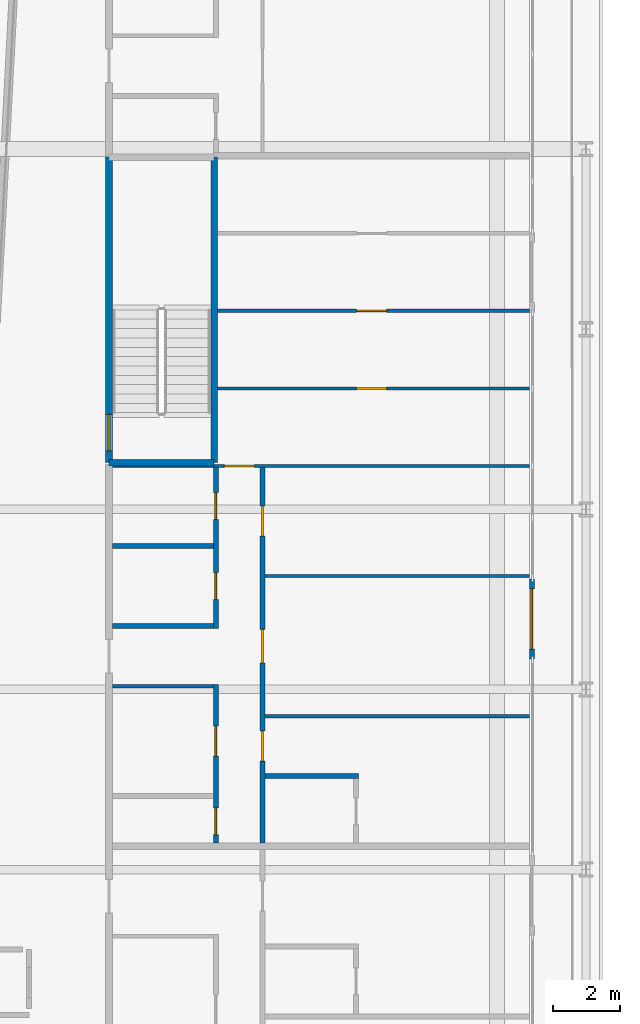
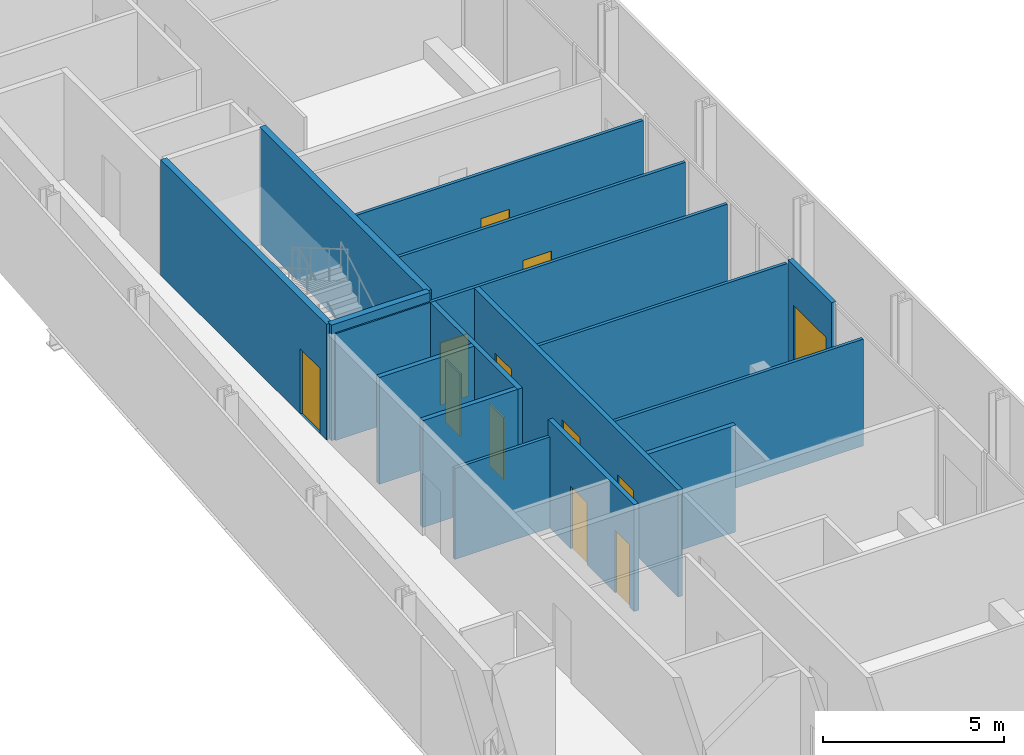
# One storey, part 18 of 28: 16 walls, 12 doors, 12 openings.
"""IFC4 building model written with IfcOpenShell, lengths in metres."""

from ifc_helpers import new_model, si_unit, direction, frame, frame_2d, origin, place, context, subcontext, project, spatial, rectangle, extrude, source, transform, mapped, material, layer, layer_set, type_object, element, fill, save


model = new_model("IFC4")

# Units and contexts
model_context = context("Model", 3, precision=1e-05, world=origin(), true_north=direction((0.0, 1.0)))
body_context = subcontext(model_context, "Body", "Model", "MODEL_VIEW")
ifc_project = project(units=[si_unit("LENGTHUNIT", "METRE"), si_unit("AREAUNIT", "SQUARE_METRE"), si_unit("VOLUMEUNIT", "CUBIC_METRE"), si_unit("PLANEANGLEUNIT", "RADIAN"), si_unit("MASSUNIT", "GRAM", prefix="KILO")], contexts=[model_context])

# Site, building, storey
site_placement = place(None, origin())
site = spatial("IfcSite", under=ifc_project, at=site_placement, CompositionType="ELEMENT")
building_placement = place(site_placement, origin())
building = spatial("IfcBuilding", under=site, at=building_placement, Name="Kheshtan School and Residences Tower", CompositionType="ELEMENT")
storey_placement = place(building_placement, frame((0.0, 0.0, 137.0)))
storey = spatial("IfcBuildingStorey", under=building, at=storey_placement, Name="L32", CompositionType="ELEMENT", Elevation=137.0)

# Wall, opening, door
ifc_material_1 = material(Name="Aluminium frame wall with insulated infill", Category="aluminium")
ifc_layer_1 = layer(ifc_material_1, 0.14990234375)
ifc_layer_set_1 = layer_set([ifc_layer_1], Name="Glazing frame wall 150")
wall_type_1 = type_object("IfcWallType", Name="Glazing frame wall 150", PredefinedType="SOLIDWALL", material=ifc_layer_set_1)
wall_1_placement = place(storey_placement, frame((45.97509765625, 75.912109375, 0.0), z_axis=(0.0, 0.0, 1.0), x_axis=(0.0, -1.0, 0.0)))
wall_1 = element("IfcWall", 1, at=wall_1_placement, inside=storey, type_object=wall_type_1, Name="Balcony door wall L32 8.3", PredefinedType="SOLIDWALL", context=body_context, shape_type="SweptSolid", body=[
    extrude(rectangle(XDim=2.400146484375, YDim=0.14990234375, at=frame_2d((1.2001953125, 0.0))), origin(), (0.0, 0.0, 1.0), 3.75),
])
opening_1_placement = place(wall_1_placement, frame((0.300048828125, 0.0, 0.0)))
opening_1 = element("IfcOpeningElement", 2, at=opening_1_placement, cuts=wall_1, Name="Opening BD", PredefinedType="OPENING", context=body_context, shape_type="SweptSolid", body=[
    extrude(rectangle(XDim=1.800048828125, YDim=2.39990234375, at=frame_2d((0.89990234375, 1.199951171875))), frame((0.0, 0.0849609375, 0.0), z_axis=(0.0, -1.0, 0.0), x_axis=(1.0, 0.0, 0.0)), (0.0, 0.0, 1.0), 0.169921875),
])
ifc_material_2 = material(Name="Clear low-e glass in thermally broken aluminium frame", Category="aluminium")
door_type_1 = type_object("IfcDoorType", Name="Balcony sliding door", OperationType="SLIDING_TO_LEFT", PredefinedType="DOOR", material=ifc_material_2)
shared_shape_1 = source(origin(), body_context, "Body", "SweptSolid", [
    extrude(rectangle(XDim=1.800048828125, YDim=2.39990234375, at=frame_2d((0.89990234375, 1.199951171875))), frame((0.0, 0.02490234375, 0.0), z_axis=(0.0, -1.0, 0.0), x_axis=(1.0, 0.0, 0.0)), (0.0, 0.0, 1.0), 0.050048828125),
])
door_1_placement = place(opening_1_placement, origin())
door_1 = element("IfcDoor", 3, at=door_1_placement, inside=storey, type_object=door_type_1, Name="Balcony door L32 8.3", OperationType="SLIDING_TO_LEFT", OverallHeight=2.39990234375, OverallWidth=1.800048828125, PredefinedType="DOOR", context=body_context, shape_type="MappedRepresentation", body=[
    mapped(shared_shape_1, transform((0.0, 0.0, 0.0), x_axis=(1.0, 0.0, 0.0), y_axis=(0.0, 1.0, 0.0), z_axis=(0.0, 0.0, 1.0), scale=1.0)),
])
fill(opening_1, door_1)

# Wall
ifc_material_3 = material(Name="Gypsum board on steel studs", Category="steel")
ifc_layer_2 = layer(ifc_material_3, 0.10009765625)
ifc_layer_set_2 = layer_set([ifc_layer_2], Name="Gypsum partition 100")
wall_type_2 = type_object("IfcWallType", Name="Gypsum partition 100", PredefinedType="PARTITIONING", material=ifc_layer_set_2)
wall_2_placement = place(storey_placement, frame((33.39990234375, 72.699951171875, 0.0), z_axis=(0.0, 0.0, 1.0), x_axis=(1.0, 0.0, 0.0)))
element("IfcWall", 4, at=wall_2_placement, inside=storey, type_object=wall_type_2, Name="Partition L32-012", PredefinedType="PARTITIONING", context=body_context, shape_type="SweptSolid", body=[
    extrude(rectangle(XDim=3.025146484375, YDim=0.10009765625, at=frame_2d((1.5126953125, 0.0))), origin(), (0.0, 0.0, 1.0), 3.072021484375),
])

# Wall, opening, door
wall_3_placement = place(storey_placement, frame((33.39990234375, 79.300048828125, 0.0), z_axis=(0.0, 0.0, 1.0), x_axis=(1.0, 0.0, 0.0)))
wall_3 = element("IfcWall", 5, at=wall_3_placement, inside=storey, type_object=wall_type_2, Name="Partition L32-015", PredefinedType="PARTITIONING", context=body_context, shape_type="SweptSolid", body=[
    extrude(rectangle(XDim=12.5, YDim=0.10009765625, at=frame_2d((6.25, 0.0))), origin(), (0.0, 0.0, 1.0), 3.60009765625),
])
opening_2_placement = place(wall_3_placement, frame((3.35498046875, 0.0, 0.0)))
opening_2 = element("IfcOpeningElement", 6, at=opening_2_placement, cuts=wall_3, Name="Opening D32-053", PredefinedType="OPENING", context=body_context, shape_type="SweptSolid", body=[
    extrude(rectangle(XDim=0.89990234375, YDim=2.10009765625, at=frame_2d((0.449951171875, 1.050048828125))), frame((0.0, 0.06005859375, 0.0), z_axis=(0.0, -1.0, 0.0), x_axis=(1.0, 0.0, 0.0)), (0.0, 0.0, 1.0), 0.1201171875),
])
ifc_material_4 = material(Name="Veneered timber door leaf", Category="wood")
door_type_2 = type_object("IfcDoorType", Name="Door 900 x 2100", OperationType="SINGLE_SWING_LEFT", PredefinedType="DOOR", material=ifc_material_4)
shared_shape_2 = source(origin(), body_context, "Body", "SweptSolid", [
    extrude(rectangle(XDim=0.89990234375, YDim=2.10009765625, at=frame_2d((0.449951171875, 1.050048828125))), frame((0.0, 0.02490234375, 0.0), z_axis=(0.0, -1.0, 0.0), x_axis=(1.0, 0.0, 0.0)), (0.0, 0.0, 1.0), 0.050048828125),
])
door_2_placement = place(opening_2_placement, origin())
door_2 = element("IfcDoor", 7, at=door_2_placement, inside=storey, type_object=door_type_2, Name="Door D32-053", OperationType="SINGLE_SWING_LEFT", OverallHeight=2.10009765625, OverallWidth=0.89990234375, PredefinedType="DOOR", context=body_context, shape_type="MappedRepresentation", body=[
    mapped(shared_shape_2, transform((0.0, 0.0, 0.0), x_axis=(1.0, 0.0, 0.0), y_axis=(0.0, 1.0, 0.0), z_axis=(0.0, 0.0, 1.0), scale=1.0)),
])
fill(opening_2, door_2)

wall_4_placement = place(storey_placement, frame((36.549072265625, 81.625, 0.0), z_axis=(0.0, 0.0, 1.0), x_axis=(1.0, 0.0, 0.0)))
wall_4 = element("IfcWall", 8, at=wall_4_placement, inside=storey, type_object=wall_type_2, Name="Partition L32-027", PredefinedType="PARTITIONING", context=body_context, shape_type="SweptSolid", body=[
    extrude(rectangle(XDim=9.350830078125, YDim=0.10009765625, at=frame_2d((4.67529296875, 0.0))), origin(), (0.0, 0.0, 1.0), 3.60009765625),
])
opening_3_placement = place(wall_4_placement, frame((4.176025390625, 0.0, 0.0)))
opening_3 = element("IfcOpeningElement", 9, at=opening_3_placement, cuts=wall_4, Name="Opening D32-054", PredefinedType="OPENING", context=body_context, shape_type="SweptSolid", body=[
    extrude(rectangle(XDim=0.89990234375, YDim=2.10009765625, at=frame_2d((0.449951171875, 1.050048828125))), frame((0.0, 0.06005859375, 0.0), z_axis=(0.0, -1.0, 0.0), x_axis=(1.0, 0.0, 0.0)), (0.0, 0.0, 1.0), 0.1201171875),
])
door_3_placement = place(opening_3_placement, origin())
door_3 = element("IfcDoor", 10, at=door_3_placement, inside=storey, type_object=door_type_2, Name="Door D32-054", OperationType="SINGLE_SWING_RIGHT", OverallHeight=2.10009765625, OverallWidth=0.89990234375, PredefinedType="DOOR", context=body_context, shape_type="MappedRepresentation", body=[
    mapped(shared_shape_2, transform((0.0, 0.0, 0.0), x_axis=(1.0, 0.0, 0.0), y_axis=(0.0, 1.0, 0.0), z_axis=(0.0, 0.0, 1.0), scale=1.0)),
])
fill(opening_3, door_3)

wall_5_placement = place(storey_placement, frame((36.549072265625, 83.949951171875, 0.0), z_axis=(0.0, 0.0, 1.0), x_axis=(1.0, 0.0, 0.0)))
wall_5 = element("IfcWall", 11, at=wall_5_placement, inside=storey, type_object=wall_type_2, Name="Partition L32-028", PredefinedType="PARTITIONING", context=body_context, shape_type="SweptSolid", body=[
    extrude(rectangle(XDim=9.350830078125, YDim=0.10009765625, at=frame_2d((4.67529296875, 0.0))), origin(), (0.0, 0.0, 1.0), 3.60009765625),
])
opening_4_placement = place(wall_5_placement, frame((4.176025390625, 0.0, 0.0)))
opening_4 = element("IfcOpeningElement", 12, at=opening_4_placement, cuts=wall_5, Name="Opening D32-055", PredefinedType="OPENING", context=body_context, shape_type="SweptSolid", body=[
    extrude(rectangle(XDim=0.89990234375, YDim=2.10009765625, at=frame_2d((0.449951171875, 1.050048828125))), frame((0.0, 0.06005859375, 0.0), z_axis=(0.0, -1.0, 0.0), x_axis=(1.0, 0.0, 0.0)), (0.0, 0.0, 1.0), 0.1201171875),
])
door_4_placement = place(opening_4_placement, origin())
door_4 = element("IfcDoor", 13, at=door_4_placement, inside=storey, type_object=door_type_2, Name="Door D32-055", OperationType="SINGLE_SWING_RIGHT", OverallHeight=2.10009765625, OverallWidth=0.89990234375, PredefinedType="DOOR", context=body_context, shape_type="MappedRepresentation", body=[
    mapped(shared_shape_2, transform((0.0, 0.0, 0.0), x_axis=(1.0, 0.0, 0.0), y_axis=(0.0, 1.0, 0.0), z_axis=(0.0, 0.0, 1.0), scale=1.0)),
])
fill(opening_4, door_4)

# Walls
for number, where, z_axis, x_axis, name in (
    (14, (37.97509765625, 71.800048828125, 0.0), (0.0, 0.0, 1.0), (1.0, 0.0, 0.0), "Partition L32-038"),
    (15, (37.97509765625, 76.0, 0.0), (0.0, 0.0, 1.0), (1.0, 0.0, 0.0), "Partition L32-039"),
):
    element("IfcWall", number, at=place(storey_placement, frame(where, z_axis=z_axis, x_axis=x_axis)), inside=storey, type_object=wall_type_2, Name=name, PredefinedType="PARTITIONING", context=body_context, shape_type="SweptSolid", body=[
        extrude(rectangle(XDim=7.9248046875, YDim=0.10009765625, at=frame_2d((3.96240234375, 0.0))), origin(), (0.0, 0.0, 1.0), 3.60009765625),
    ])
ifc_material_5 = material(Name="Concrete C40/50", Category="concrete")
ifc_layer_3 = layer(ifc_material_5, 0.199951171875)
ifc_layer_set_3 = layer_set([ifc_layer_3], Name="Stair enclosure wall 200 Concrete C40/50")
wall_type_3 = type_object("IfcWallType", Name="Stair enclosure wall 200 Concrete C40/50", PredefinedType="SHEAR", material=ifc_layer_set_3)
wall_6_placement = place(storey_placement, frame((33.300048828125, 79.39990234375, 0.0), z_axis=(0.0, 0.0, 1.0), x_axis=(1.0, 0.0, 0.0)))
element("IfcWall", 16, at=wall_6_placement, inside=storey, type_object=wall_type_3, Name="Stair enclosure wall ST3", PredefinedType="SHEAR", context=body_context, shape_type="SweptSolid", body=[
    extrude(rectangle(XDim=3.14990234375, YDim=0.199951171875, at=frame_2d((1.574951171875, 0.0))), origin(), (0.0, 0.0, 1.0), 3.89990234375),
])

# Wall, opening, door
wall_7_placement = place(storey_placement, frame((33.300048828125, 79.39990234375, 0.0), z_axis=(0.0, 0.0, 1.0), x_axis=(0.0, 1.0, 0.0)))
wall_7 = element("IfcWall", 17, at=wall_7_placement, inside=storey, type_object=wall_type_3, Name="Stair enclosure wall ST3", PredefinedType="SHEAR", context=body_context, shape_type="SweptSolid", body=[
    extrude(rectangle(XDim=9.16015625, YDim=0.199951171875, at=frame_2d((4.580078125, 0.0))), origin(), (0.0, 0.0, 1.0), 3.89990234375),
])
opening_5_placement = place(wall_7_placement, frame((0.35009765625, 0.0, 0.0)))
opening_5 = element("IfcOpeningElement", 18, at=opening_5_placement, cuts=wall_7, Name="Opening ST3D", PredefinedType="OPENING", context=body_context, shape_type="SweptSolid", body=[
    extrude(rectangle(XDim=1.10009765625, YDim=2.199951171875, at=frame_2d((0.550048828125, 1.10009765625))), frame((0.0, 0.10986328125, 0.0), z_axis=(0.0, -1.0, 0.0), x_axis=(1.0, 0.0, 0.0)), (0.0, 0.0, 1.0), 0.219970703125),
])
ifc_material_6 = material(Name="Steel door leaf, galvanised", Category="steel")
door_type_3 = type_object("IfcDoorType", Name="Stair door 1100 steel 90 min", OperationType="SINGLE_SWING_LEFT", PredefinedType="DOOR", material=ifc_material_6)
shared_shape_3 = source(origin(), body_context, "Body", "SweptSolid", [
    extrude(rectangle(XDim=1.10009765625, YDim=2.199951171875, at=frame_2d((0.550048828125, 1.10009765625))), frame((0.0, 0.02490234375, 0.0), z_axis=(0.0, -1.0, 0.0), x_axis=(1.0, 0.0, 0.0)), (0.0, 0.0, 1.0), 0.050048828125),
])
door_5_placement = place(opening_5_placement, origin())
door_5 = element("IfcDoor", 19, at=door_5_placement, inside=storey, type_object=door_type_3, Name="Stair ST3 door", OperationType="SINGLE_SWING_RIGHT", OverallHeight=2.199951171875, OverallWidth=1.10009765625, PredefinedType="DOOR", context=body_context, shape_type="MappedRepresentation", body=[
    mapped(shared_shape_3, transform((0.0, 0.0, 0.0), x_axis=(1.0, 0.0, 0.0), y_axis=(0.0, 1.0, 0.0), z_axis=(0.0, 0.0, 1.0), scale=1.0)),
])
fill(opening_5, door_5)

# Walls
wall_8_placement = place(storey_placement, frame((36.449951171875, 79.39990234375, 0.0), z_axis=(0.0, 0.0, 1.0), x_axis=(0.0, 1.0, 0.0)))
element("IfcWall", 20, at=wall_8_placement, inside=storey, type_object=wall_type_3, Name="Stair enclosure wall ST3", PredefinedType="SHEAR", context=body_context, shape_type="SweptSolid", body=[
    extrude(rectangle(XDim=9.16015625, YDim=0.199951171875, at=frame_2d((4.580078125, 0.0))), origin(), (0.0, 0.0, 1.0), 3.89990234375),
])
ifc_material_7 = material(Name="Moisture-resistant gypsum board on steel studs", Category="steel")
ifc_layer_4 = layer(ifc_material_7, 0.14990234375)
ifc_layer_set_4 = layer_set([ifc_layer_4], Name="Wet-room partition 150")
wall_type_4 = type_object("IfcWallType", Name="Wet-room partition 150", PredefinedType="PARTITIONING", material=ifc_layer_set_4)
for number, where, z_axis, x_axis, name in (
    (21, (33.39990234375, 74.5, 0.0), (0.0, 0.0, 1.0), (1.0, 0.0, 0.0), "Partition L32-013"),
    (22, (33.39990234375, 76.89990234375, 0.0), (0.0, 0.0, 1.0), (1.0, 0.0, 0.0), "Partition L32-014"),
):
    element("IfcWall", number, at=place(storey_placement, frame(where, z_axis=z_axis, x_axis=x_axis)), inside=storey, type_object=wall_type_4, Name=name, PredefinedType="PARTITIONING", context=body_context, shape_type="SweptSolid", body=[
        extrude(rectangle(XDim=3.025146484375, YDim=0.14990234375, at=frame_2d((1.5126953125, 0.0))), origin(), (0.0, 0.0, 1.0), 3.60009765625),
    ])

# Wall, openings, doors
wall_9_placement = place(storey_placement, frame((36.5, 68.0, 0.0), z_axis=(0.0, 0.0, 1.0), x_axis=(0.0, 1.0, 0.0)))
wall_9 = element("IfcWall", 23, at=wall_9_placement, inside=storey, type_object=wall_type_4, Name="Partition L32-023", PredefinedType="PARTITIONING", context=body_context, shape_type="SweptSolid", body=[
    extrude(rectangle(XDim=4.75, YDim=0.14990234375, at=frame_2d((2.375, 0.0))), origin(), (0.0, 0.0, 1.0), 3.60009765625),
])
opening_6_placement = place(wall_9_placement, frame((2.60009765625, 0.0, 0.0)))
opening_6 = element("IfcOpeningElement", 24, at=opening_6_placement, cuts=wall_9, Name="Opening D32-049", PredefinedType="OPENING", context=body_context, shape_type="SweptSolid", body=[
    extrude(rectangle(XDim=0.89990234375, YDim=2.10009765625, at=frame_2d((0.449951171875, 1.050048828125))), frame((0.0, 0.0849609375, 0.0), z_axis=(0.0, -1.0, 0.0), x_axis=(1.0, 0.0, 0.0)), (0.0, 0.0, 1.0), 0.169921875),
])
opening_7_placement = place(wall_9_placement, frame((0.25, 0.0, 0.0)))
opening_7 = element("IfcOpeningElement", 25, at=opening_7_placement, cuts=wall_9, Name="Opening D32-052", PredefinedType="OPENING", context=body_context, shape_type="SweptSolid", body=[
    extrude(rectangle(XDim=0.800048828125, YDim=2.10009765625, at=frame_2d((0.39990234375, 1.050048828125))), frame((0.0, 0.0849609375, 0.0), z_axis=(0.0, -1.0, 0.0), x_axis=(1.0, 0.0, 0.0)), (0.0, 0.0, 1.0), 0.169921875),
])
door_type_4 = type_object("IfcDoorType", Name="Door 800 x 2100", OperationType="SINGLE_SWING_LEFT", PredefinedType="DOOR", material=ifc_material_4)
shared_shape_4 = source(origin(), body_context, "Body", "SweptSolid", [
    extrude(rectangle(XDim=0.800048828125, YDim=2.10009765625, at=frame_2d((0.39990234375, 1.050048828125))), frame((0.0, 0.02490234375, 0.0), z_axis=(0.0, -1.0, 0.0), x_axis=(1.0, 0.0, 0.0)), (0.0, 0.0, 1.0), 0.050048828125),
])
door_6_placement = place(opening_7_placement, origin())
door_6 = element("IfcDoor", 26, at=door_6_placement, inside=storey, type_object=door_type_4, Name="Door D32-052", OperationType="SINGLE_SWING_RIGHT", OverallHeight=2.10009765625, OverallWidth=0.800048828125, PredefinedType="DOOR", context=body_context, shape_type="MappedRepresentation", body=[
    mapped(shared_shape_4, transform((0.0, 0.0, 0.0), x_axis=(1.0, 0.0, 0.0), y_axis=(0.0, 1.0, 0.0), z_axis=(0.0, 0.0, 1.0), scale=1.0)),
])
fill(opening_7, door_6)
door_7_placement = place(opening_6_placement, origin())
door_7 = element("IfcDoor", 27, at=door_7_placement, inside=storey, type_object=door_type_2, Name="Door D32-049", OperationType="SINGLE_SWING_RIGHT", OverallHeight=2.10009765625, OverallWidth=0.89990234375, PredefinedType="DOOR", context=body_context, shape_type="MappedRepresentation", body=[
    mapped(shared_shape_2, transform((0.0, 0.0, 0.0), x_axis=(1.0, 0.0, 0.0), y_axis=(0.0, 1.0, 0.0), z_axis=(0.0, 0.0, 1.0), scale=1.0)),
])
fill(opening_6, door_7)

wall_10_placement = place(storey_placement, frame((36.5, 74.425048828125, 0.0), z_axis=(0.0, 0.0, 1.0), x_axis=(0.0, 1.0, 0.0)))
wall_10 = element("IfcWall", 28, at=wall_10_placement, inside=storey, type_object=wall_type_4, Name="Partition L32-024", PredefinedType="PARTITIONING", context=body_context, shape_type="SweptSolid", body=[
    extrude(rectangle(XDim=4.824951171875, YDim=0.14990234375, at=frame_2d((2.41259765625, 0.0))), origin(), (0.0, 0.0, 1.0), 3.60009765625),
])
opening_8_placement = place(wall_10_placement, frame((0.875, 0.0, 0.0)))
opening_8 = element("IfcOpeningElement", 29, at=opening_8_placement, cuts=wall_10, Name="Opening D32-044", PredefinedType="OPENING", context=body_context, shape_type="SweptSolid", body=[
    extrude(rectangle(XDim=0.800048828125, YDim=2.10009765625, at=frame_2d((0.39990234375, 1.050048828125))), frame((0.0, 0.0849609375, 0.0), z_axis=(0.0, -1.0, 0.0), x_axis=(1.0, 0.0, 0.0)), (0.0, 0.0, 1.0), 0.169921875),
])
opening_9_placement = place(wall_10_placement, frame((3.27490234375, 0.0, 0.0)))
opening_9 = element("IfcOpeningElement", 30, at=opening_9_placement, cuts=wall_10, Name="Opening D32-046", PredefinedType="OPENING", context=body_context, shape_type="SweptSolid", body=[
    extrude(rectangle(XDim=0.800048828125, YDim=2.10009765625, at=frame_2d((0.39990234375, 1.050048828125))), frame((0.0, 0.0849609375, 0.0), z_axis=(0.0, -1.0, 0.0), x_axis=(1.0, 0.0, 0.0)), (0.0, 0.0, 1.0), 0.169921875),
])
door_8_placement = place(opening_8_placement, origin())
door_8 = element("IfcDoor", 31, at=door_8_placement, inside=storey, type_object=door_type_4, Name="Door D32-044", OperationType="SINGLE_SWING_LEFT", OverallHeight=2.10009765625, OverallWidth=0.800048828125, PredefinedType="DOOR", context=body_context, shape_type="MappedRepresentation", body=[
    mapped(shared_shape_4, transform((0.0, 0.0, 0.0), x_axis=(1.0, 0.0, 0.0), y_axis=(0.0, 1.0, 0.0), z_axis=(0.0, 0.0, 1.0), scale=1.0)),
])
fill(opening_8, door_8)
door_9_placement = place(opening_9_placement, origin())
door_9 = element("IfcDoor", 32, at=door_9_placement, inside=storey, type_object=door_type_4, Name="Door D32-046", OperationType="SINGLE_SWING_LEFT", OverallHeight=2.10009765625, OverallWidth=0.800048828125, PredefinedType="DOOR", context=body_context, shape_type="MappedRepresentation", body=[
    mapped(shared_shape_4, transform((0.0, 0.0, 0.0), x_axis=(1.0, 0.0, 0.0), y_axis=(0.0, 1.0, 0.0), z_axis=(0.0, 0.0, 1.0), scale=1.0)),
])
fill(opening_9, door_9)

wall_11_placement = place(storey_placement, frame((37.89990234375, 68.0, 0.0), z_axis=(0.0, 0.0, 1.0), x_axis=(0.0, 1.0, 0.0)))
wall_11 = element("IfcWall", 33, at=wall_11_placement, inside=storey, type_object=wall_type_4, Name="Partition L32-031", PredefinedType="PARTITIONING", context=body_context, shape_type="SweptSolid", body=[
    extrude(rectangle(XDim=11.25, YDim=0.14990234375, at=frame_2d((5.625, 0.0))), origin(), (0.0, 0.0, 1.0), 3.60009765625),
])
opening_10_placement = place(wall_11_placement, frame((9.199951171875, 0.0, 0.0)))
opening_10 = element("IfcOpeningElement", 34, at=opening_10_placement, cuts=wall_11, Name="Opening D32-045", PredefinedType="OPENING", context=body_context, shape_type="SweptSolid", body=[
    extrude(rectangle(XDim=0.89990234375, YDim=2.10009765625, at=frame_2d((0.449951171875, 1.050048828125))), frame((0.0, 0.0849609375, 0.0), z_axis=(0.0, -1.0, 0.0), x_axis=(1.0, 0.0, 0.0)), (0.0, 0.0, 1.0), 0.169921875),
])
opening_11_placement = place(wall_11_placement, frame((5.39990234375, 0.0, 0.0)))
opening_11 = element("IfcOpeningElement", 35, at=opening_11_placement, cuts=wall_11, Name="Opening D32-050", PredefinedType="OPENING", context=body_context, shape_type="SweptSolid", body=[
    extrude(rectangle(XDim=1.0, YDim=2.10009765625, at=frame_2d((0.5, 1.050048828125))), frame((0.0, 0.0849609375, 0.0), z_axis=(0.0, -1.0, 0.0), x_axis=(1.0, 0.0, 0.0)), (0.0, 0.0, 1.0), 0.169921875),
])
opening_12_placement = place(wall_11_placement, frame((2.449951171875, 0.0, 0.0)))
opening_12 = element("IfcOpeningElement", 36, at=opening_12_placement, cuts=wall_11, Name="Opening D32-051", PredefinedType="OPENING", context=body_context, shape_type="SweptSolid", body=[
    extrude(rectangle(XDim=0.89990234375, YDim=2.10009765625, at=frame_2d((0.449951171875, 1.050048828125))), frame((0.0, 0.0849609375, 0.0), z_axis=(0.0, -1.0, 0.0), x_axis=(1.0, 0.0, 0.0)), (0.0, 0.0, 1.0), 0.169921875),
])
door_type_5 = type_object("IfcDoorType", Name="Door 1000 x 2100", OperationType="SINGLE_SWING_LEFT", PredefinedType="DOOR", material=ifc_material_4)
shared_shape_5 = source(origin(), body_context, "Body", "SweptSolid", [
    extrude(rectangle(XDim=1.0, YDim=2.10009765625, at=frame_2d((0.5, 1.050048828125))), frame((0.0, 0.02490234375, 0.0), z_axis=(0.0, -1.0, 0.0), x_axis=(1.0, 0.0, 0.0)), (0.0, 0.0, 1.0), 0.050048828125),
])
door_10_placement = place(opening_11_placement, origin())
door_10 = element("IfcDoor", 37, at=door_10_placement, inside=storey, type_object=door_type_5, Name="Door D32-050", OperationType="SINGLE_SWING_RIGHT", OverallHeight=2.10009765625, OverallWidth=1.0, PredefinedType="DOOR", context=body_context, shape_type="MappedRepresentation", body=[
    mapped(shared_shape_5, transform((0.0, 0.0, 0.0), x_axis=(1.0, 0.0, 0.0), y_axis=(0.0, 1.0, 0.0), z_axis=(0.0, 0.0, 1.0), scale=1.0)),
])
fill(opening_11, door_10)
door_11_placement = place(opening_10_placement, origin())
door_11 = element("IfcDoor", 38, at=door_11_placement, inside=storey, type_object=door_type_2, Name="Door D32-045", OperationType="SINGLE_SWING_RIGHT", OverallHeight=2.10009765625, OverallWidth=0.89990234375, PredefinedType="DOOR", context=body_context, shape_type="MappedRepresentation", body=[
    mapped(shared_shape_2, transform((0.0, 0.0, 0.0), x_axis=(1.0, 0.0, 0.0), y_axis=(0.0, 1.0, 0.0), z_axis=(0.0, 0.0, 1.0), scale=1.0)),
])
fill(opening_10, door_11)
door_12_placement = place(opening_12_placement, origin())
door_12 = element("IfcDoor", 39, at=door_12_placement, inside=storey, type_object=door_type_2, Name="Door D32-051", OperationType="SINGLE_SWING_RIGHT", OverallHeight=2.10009765625, OverallWidth=0.89990234375, PredefinedType="DOOR", context=body_context, shape_type="MappedRepresentation", body=[
    mapped(shared_shape_2, transform((0.0, 0.0, 0.0), x_axis=(1.0, 0.0, 0.0), y_axis=(0.0, 1.0, 0.0), z_axis=(0.0, 0.0, 1.0), scale=1.0)),
])
fill(opening_12, door_12)

# Wall
wall_12_placement = place(storey_placement, frame((37.97509765625, 70.0, 0.0), z_axis=(0.0, 0.0, 1.0), x_axis=(1.0, 0.0, 0.0)))
element("IfcWall", 40, at=wall_12_placement, inside=storey, type_object=wall_type_4, Name="Partition L32-037", PredefinedType="PARTITIONING", context=body_context, shape_type="SweptSolid", body=[
    extrude(rectangle(XDim=2.7998046875, YDim=0.14990234375, at=frame_2d((1.39990234375, 0.0))), origin(), (0.0, 0.0, 1.0), 3.60009765625),
])

save(model, "model.ifc")
